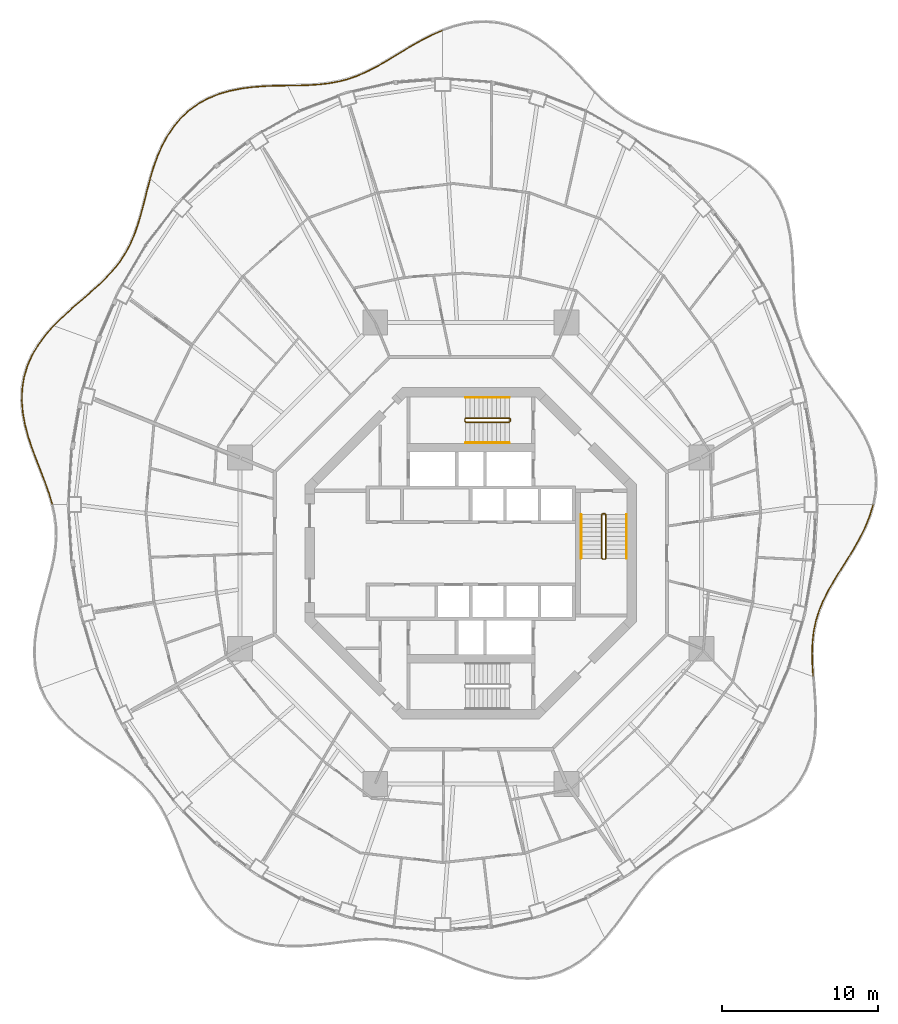
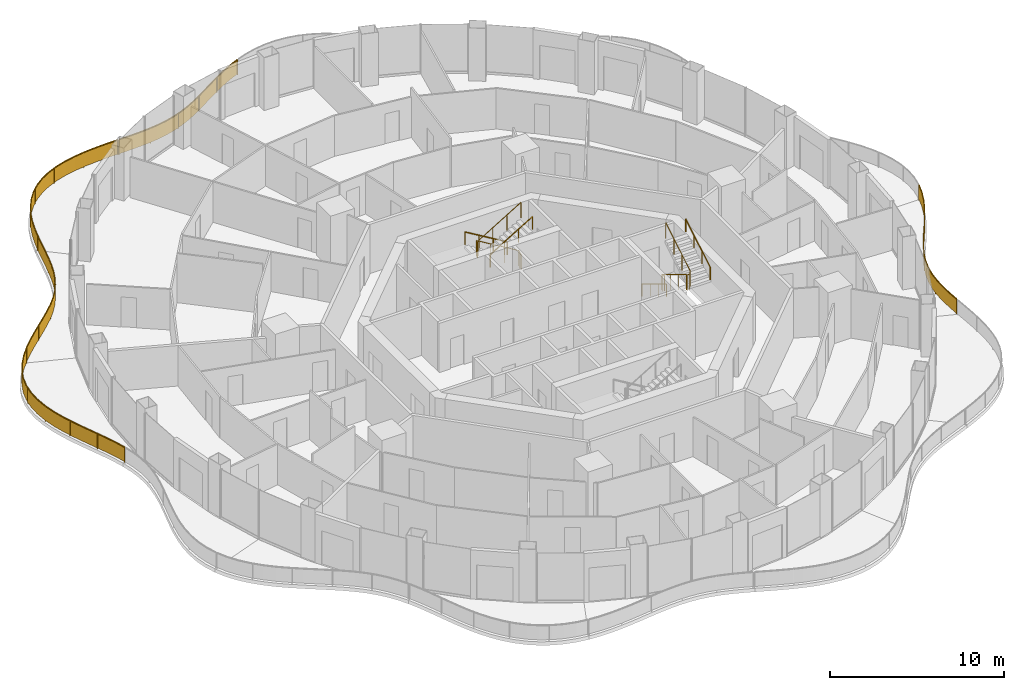
# One storey, part 17 of 18: 11 railings.
"""IFC4 building model written with IfcOpenShell, lengths in metres."""

from ifc_helpers import new_model, si_unit, direction, frame, origin, origin_2d, place, context, subcontext, project, spatial, polyline, rectangle, circle, outline, extrude, material, type_object, element, save


model = new_model("IFC4")

# Units and contexts
model_context = context("Model", 3, precision=1e-05, world=origin(), true_north=direction((0.0, 1.0)))
body_context = subcontext(model_context, "Body", "Model", "MODEL_VIEW")
ifc_project = project(units=[si_unit("LENGTHUNIT", "METRE"), si_unit("AREAUNIT", "SQUARE_METRE"), si_unit("VOLUMEUNIT", "CUBIC_METRE"), si_unit("PLANEANGLEUNIT", "RADIAN"), si_unit("MASSUNIT", "GRAM", prefix="KILO")], contexts=[model_context])

# Site, building, storey
site_placement = place(None, origin())
site = spatial("IfcSite", under=ifc_project, at=site_placement, CompositionType="ELEMENT")
building_placement = place(site_placement, origin())
building = spatial("IfcBuilding", under=site, at=building_placement, Name="Nagisa Residences", CompositionType="ELEMENT")
storey_placement = place(building_placement, frame((0.0, 0.0, 215.89990234375)))
storey = spatial("IfcBuildingStorey", under=building, at=storey_placement, Name="L54", CompositionType="ELEMENT", Elevation=215.89990234375)

# Railings
ifc_material_1 = material(Name="Stainless steel 316", Category="steel")
railing_type_1 = type_object("IfcRailingType", Name="BALCONY GUARD 1100", PredefinedType="BALUSTRADE", material=ifc_material_1)
railing_1_placement = place(storey_placement, frame((-1.835205078125, 33.494384765625, 0.0)))
element("IfcRailing", 1, at=railing_1_placement, inside=storey, type_object=railing_type_1, Name="guard:L54:bal04-0", PredefinedType="BALUSTRADE", context=body_context, shape_type="SweptSolid", body=[
    extrude(outline(polyline([(-0.6201171875, -0.298095703125), (0.010009765625, -0.02294921875), (-0.010009765625, 0.02294921875), (-0.6416015625, -0.252685546875), (-1.2998046875, -0.584228515625), (-1.93896484375, -0.94189453125), (-2.559326171875, -1.310546875), (-3.162841796875, -1.677001953125), (-3.735107421875, -2.025390625), (-4.315185546875, -2.35009765625), (-4.89111328125, -2.6396484375), (-5.46875, -2.88720703125), (-6.05322265625, -3.08984375), (-6.63330078125, -3.241455078125), (-7.2470703125, -3.3544921875), (-7.881103515625, -3.428955078125), (-8.536865234375, -3.472412109375), (-9.214599609375, -3.494384765625), (-9.866455078125, -3.50244140625), (-9.865966796875, -3.55224609375), (-9.213623046875, -3.544189453125), (-8.534423828125, -3.522216796875), (-7.876708984375, -3.478759765625), (-7.23974609375, -3.40380859375), (-6.62255859375, -3.290283203125), (-6.03857421875, -3.1376953125), (-5.45068359375, -2.93408203125), (-4.8701171875, -2.68505859375), (-4.291748046875, -2.39453125), (-3.709716796875, -2.06884765625), (-3.136962890625, -1.719970703125), (-2.533447265625, -1.353515625), (-1.9140625, -0.9853515625), (-1.2763671875, -0.628662109375), (-0.6201171875, -0.298095703125)])), frame((0.0, 0.0, 1.050048828125)), (0.0, 0.0, 1.0), 0.050048828125),
    extrude(outline(polyline([(-0.6279296875, -0.28173828125), (0.002685546875, -0.00634765625), (-0.002685546875, 0.00634765625), (-0.6337890625, -0.26904296875), (-1.291259765625, -0.600341796875), (-1.929931640625, -0.95751953125), (-2.550048828125, -1.325927734375), (-3.153564453125, -1.692626953125), (-3.725830078125, -2.041015625), (-4.306640625, -2.3662109375), (-4.883544921875, -2.656005859375), (-5.462158203125, -2.904052734375), (-6.0478515625, -3.107177734375), (-6.62939453125, -3.259033203125), (-7.244384765625, -3.372314453125), (-7.879638671875, -3.44677734375), (-8.535888671875, -3.490234375), (-9.21435546875, -3.51220703125), (-9.8662109375, -3.520263671875), (-9.8662109375, -3.534423828125), (-9.2138671875, -3.5263671875), (-8.535400390625, -3.50439453125), (-7.878173828125, -3.4609375), (-7.242431640625, -3.385986328125), (-6.62646484375, -3.272705078125), (-6.0439453125, -3.120361328125), (-5.457275390625, -2.917236328125), (-4.877685546875, -2.668701171875), (-4.30029296875, -2.37841796875), (-3.718994140625, -2.05322265625), (-3.146240234375, -1.704345703125), (-2.542724609375, -1.338134765625), (-1.923095703125, -0.9697265625), (-1.284912109375, -0.612548828125), (-0.6279296875, -0.28173828125)])), frame((0.0, 0.0, 0.06005859375)), (0.0, 0.0, 1.0), 0.989990234375),
    extrude(rectangle(XDim=0.0400390625, YDim=0.0400390625, at=origin_2d()), origin(), (0.0, 0.0, 1.0), 1.050048828125),
    extrude(rectangle(XDim=0.0400390625, YDim=0.0400390625, at=origin_2d()), frame((-1.90771484375, -0.953125, 0.0)), (0.0, 0.0, 1.0), 1.050048828125),
    extrude(rectangle(XDim=0.0400390625, YDim=0.0400390625, at=origin_2d()), frame((-3.73583984375, -2.0546875, 0.0)), (0.0, 0.0, 1.0), 1.050048828125),
    extrude(rectangle(XDim=0.0400390625, YDim=0.0400390625, at=origin_2d()), frame((-5.65625, -2.978759765625, 0.0)), (0.0, 0.0, 1.0), 1.050048828125),
    extrude(rectangle(XDim=0.0400390625, YDim=0.0400390625, at=origin_2d()), frame((-7.734619140625, -3.43701171875, 0.0)), (0.0, 0.0, 1.0), 1.050048828125),
    extrude(rectangle(XDim=0.0400390625, YDim=0.0400390625, at=origin_2d()), frame((-9.8662109375, -3.52734375, 0.0)), (0.0, 0.0, 1.0), 1.050048828125),
])
railing_2_placement = place(storey_placement, frame((-11.777099609375, 29.9677734375, 0.0)))
element("IfcRailing", 2, at=railing_2_placement, inside=storey, type_object=railing_type_1, Name="guard:L54:bal05-0", PredefinedType="BALUSTRADE", context=body_context, shape_type="SweptSolid", body=[
    extrude(outline(polyline([(-0.694580078125, -0.03466796875), (0.000244140625, -0.02490234375), (-0.000244140625, 0.02490234375), (-0.696044921875, 0.01513671875), (-1.44873046875, -0.013427734375), (-2.205322265625, -0.07080078125), (-2.956787109375, -0.169677734375), (-3.691650390625, -0.3193359375), (-4.3916015625, -0.5234375), (-5.069091796875, -0.80224609375), (-5.703369140625, -1.151611328125), (-6.286865234375, -1.571044921875), (-6.814208984375, -2.058837890625), (-7.270263671875, -2.59814453125), (-7.6787109375, -3.202880859375), (-8.02978515625, -3.85302734375), (-8.328125, -4.537353515625), (-8.581298828125, -5.2451171875), (-8.78271484375, -5.92138671875), (-8.73486328125, -5.935546875), (-8.533935546875, -5.2607421875), (-8.28173828125, -4.555908203125), (-7.98486328125, -3.875), (-7.6357421875, -3.228759765625), (-7.230224609375, -2.62841796875), (-6.778076171875, -2.093505859375), (-6.255126953125, -1.610107421875), (-5.676513671875, -1.194091796875), (-5.047607421875, -0.84765625), (-4.375, -0.57080078125), (-3.679443359375, -0.3681640625), (-2.948486328125, -0.218994140625), (-2.199951171875, -0.12060546875), (-1.44580078125, -0.063232421875), (-0.694580078125, -0.03466796875)])), frame((0.0, 0.0, 1.050048828125)), (0.0, 0.0, 1.0), 0.050048828125),
    extrude(outline(polyline([(-0.695068359375, -0.016845703125), (0.0, -0.007080078125), (0.0, 0.007080078125), (-0.695556640625, -0.002685546875), (-1.44775390625, -0.03125), (-2.203369140625, -0.088623046875), (-2.953857421875, -0.1875), (-3.687255859375, -0.3369140625), (-4.385498046875, -0.54052734375), (-5.061279296875, -0.818603515625), (-5.693603515625, -1.1669921875), (-6.275390625, -1.585205078125), (-6.80126953125, -2.0712890625), (-7.255859375, -2.609130859375), (-7.663330078125, -3.212158203125), (-8.013671875, -3.86083984375), (-8.3115234375, -4.5439453125), (-8.564208984375, -5.250732421875), (-8.765380859375, -5.926513671875), (-8.752197265625, -5.930419921875), (-8.551025390625, -5.255126953125), (-8.29833984375, -4.54931640625), (-8.0009765625, -3.8671875), (-7.651123046875, -3.219482421875), (-7.24462890625, -2.617431640625), (-6.791015625, -2.0810546875), (-6.2666015625, -1.595947265625), (-5.686279296875, -1.1787109375), (-5.055419921875, -0.831298828125), (-4.381103515625, -0.5537109375), (-3.683837890625, -0.3505859375), (-2.951416015625, -0.201171875), (-2.201904296875, -0.102783203125), (-1.44677734375, -0.04541015625), (-0.695068359375, -0.016845703125)])), frame((0.0, 0.0, 0.06005859375)), (0.0, 0.0, 1.0), 0.989990234375),
    extrude(rectangle(XDim=0.0400390625, YDim=0.0400390625, at=origin_2d()), origin(), (0.0, 0.0, 1.0), 1.050048828125),
    extrude(rectangle(XDim=0.0400390625, YDim=0.0400390625, at=origin_2d()), frame((-2.333251953125, -0.11279296875, 0.0)), (0.0, 0.0, 1.0), 1.050048828125),
    extrude(rectangle(XDim=0.0400390625, YDim=0.0400390625, at=origin_2d()), frame((-4.60302734375, -0.637451171875, 0.0)), (0.0, 0.0, 1.0), 1.050048828125),
    extrude(rectangle(XDim=0.0400390625, YDim=0.0400390625, at=origin_2d()), frame((-6.570556640625, -1.867431640625, 0.0)), (0.0, 0.0, 1.0), 1.050048828125),
    extrude(rectangle(XDim=0.0400390625, YDim=0.0400390625, at=origin_2d()), frame((-7.942138671875, -3.7431640625, 0.0)), (0.0, 0.0, 1.0), 1.050048828125),
    extrude(rectangle(XDim=0.0400390625, YDim=0.0400390625, at=origin_2d()), frame((-8.7587890625, -5.928466796875, 0.0)), (0.0, 0.0, 1.0), 1.050048828125),
])
railing_3_placement = place(storey_placement, frame((-20.555419921875, 23.965087890625, 0.0)))
element("IfcRailing", 3, at=railing_3_placement, inside=storey, type_object=railing_type_1, Name="guard:L54:bal06-0", PredefinedType="BALUSTRADE", context=body_context, shape_type="SweptSolid", body=[
    extrude(outline(polyline([(-0.1630859375, -0.71728515625), (0.024169921875, -0.00634765625), (-0.024169921875, 0.00634765625), (-0.21142578125, -0.70458984375), (-0.399169921875, -1.4482421875), (-0.587646484375, -2.170654296875), (-0.790771484375, -2.864501953125), (-1.021240234375, -3.52490234375), (-1.28125, -4.13671875), (-1.595947265625, -4.725830078125), (-1.9619140625, -5.282470703125), (-2.380859375, -5.8115234375), (-2.850341796875, -6.3203125), (-3.35791015625, -6.80322265625), (-3.908447265625, -7.29443359375), (-4.48193359375, -7.790283203125), (-5.064453125, -8.2978515625), (-5.64013671875, -8.82470703125), (-6.160888671875, -9.34228515625), (-6.125732421875, -9.3779296875), (-5.60546875, -8.86083984375), (-5.03125, -8.3349609375), (-4.44921875, -7.827880859375), (-3.875244140625, -7.33203125), (-3.32421875, -6.83984375), (-2.814697265625, -6.35546875), (-2.3427734375, -5.84423828125), (-1.92138671875, -5.311767578125), (-1.552978515625, -4.751220703125), (-1.23583984375, -4.158203125), (-0.974365234375, -3.54296875), (-0.742919921875, -2.879638671875), (-0.539306640625, -2.183837890625), (-0.350830078125, -1.46044921875), (-0.1630859375, -0.71728515625)])), frame((0.0, 0.0, 1.050048828125)), (0.0, 0.0, 1.0), 0.050048828125),
    extrude(outline(polyline([(-0.180419921875, -0.712646484375), (0.0068359375, -0.001708984375), (-0.0068359375, 0.001708984375), (-0.194091796875, -0.709228515625), (-0.3818359375, -1.45263671875), (-0.5703125, -2.17529296875), (-0.7734375, -2.869873046875), (-1.00439453125, -3.531494140625), (-1.264892578125, -4.14453125), (-1.58056640625, -4.73486328125), (-1.947265625, -5.29296875), (-2.3671875, -5.8232421875), (-2.83740234375, -6.3330078125), (-3.345703125, -6.81640625), (-3.896484375, -7.307861328125), (-4.47021484375, -7.8037109375), (-5.052490234375, -8.311279296875), (-5.627685546875, -8.837646484375), (-6.148193359375, -9.355224609375), (-6.138427734375, -9.364990234375), (-5.617919921875, -8.847900390625), (-5.043212890625, -8.321533203125), (-4.4609375, -7.814453125), (-3.88720703125, -7.318603515625), (-3.33642578125, -6.82666015625), (-2.82763671875, -6.3427734375), (-2.3564453125, -5.83251953125), (-1.93603515625, -5.30126953125), (-1.568359375, -4.7421875), (-1.252197265625, -4.150390625), (-0.9912109375, -3.536376953125), (-0.76025390625, -2.874267578125), (-0.556640625, -2.17919921875), (-0.3681640625, -1.4560546875), (-0.180419921875, -0.712646484375)])), frame((0.0, 0.0, 0.06005859375)), (0.0, 0.0, 1.0), 0.989990234375),
    extrude(rectangle(XDim=0.0400390625, YDim=0.0400390625, at=origin_2d()), origin(), (0.0, 0.0, 1.0), 1.050048828125),
    extrude(rectangle(XDim=0.0400390625, YDim=0.0400390625, at=origin_2d()), frame((-0.579833984375, -2.232666015625, 0.0)), (0.0, 0.0, 1.0), 1.050048828125),
    extrude(rectangle(XDim=0.0400390625, YDim=0.0400390625, at=origin_2d()), frame((-1.38720703125, -4.388427734375, 0.0)), (0.0, 0.0, 1.0), 1.050048828125),
    extrude(rectangle(XDim=0.0400390625, YDim=0.0400390625, at=origin_2d()), frame((-2.74462890625, -6.24267578125, 0.0)), (0.0, 0.0, 1.0), 1.050048828125),
    extrude(rectangle(XDim=0.0400390625, YDim=0.0400390625, at=origin_2d()), frame((-4.449462890625, -7.795166015625, 0.0)), (0.0, 0.0, 1.0), 1.050048828125),
    extrude(rectangle(XDim=0.0400390625, YDim=0.0400390625, at=origin_2d()), frame((-6.143310546875, -9.360107421875, 0.0)), (0.0, 0.0, 1.0), 1.050048828125),
])
railing_4_placement = place(storey_placement, frame((-26.75244140625, 14.549560546875, 0.0)))
element("IfcRailing", 4, at=railing_4_placement, inside=storey, type_object=railing_type_1, Name="guard:L54:bal07-0", PredefinedType="BALUSTRADE", context=body_context, shape_type="SweptSolid", body=[
    extrude(outline(polyline([(-0.47802734375, -0.578857421875), (0.018798828125, -0.0166015625), (-0.018798828125, 0.0166015625), (-0.51708984375, -0.547119140625), (-0.984619140625, -1.18017578125), (-1.3779296875, -1.8466796875), (-1.685791015625, -2.54443359375), (-1.901123046875, -3.269775390625), (-2.017333984375, -4.00390625), (-2.042724609375, -4.767578125), (-1.97998046875, -5.54052734375), (-1.83984375, -6.31591796875), (-1.635986328125, -7.087890625), (-1.384033203125, -7.83740234375), (-1.10546875, -8.587890625), (-0.818115234375, -9.323974609375), (-0.541015625, -10.04443359375), (-0.292236328125, -10.750732421875), (-0.09716796875, -11.40478515625), (-0.04931640625, -11.390625), (-0.244384765625, -10.735107421875), (-0.494140625, -10.02734375), (-0.771240234375, -9.305908203125), (-1.05859375, -8.5703125), (-1.336669921875, -7.82080078125), (-1.588134765625, -7.07373046875), (-1.791015625, -6.30517578125), (-1.93017578125, -5.5341796875), (-1.992431640625, -4.7666015625), (-1.967529296875, -4.0087890625), (-1.852294921875, -3.281005859375), (-1.638916015625, -2.5615234375), (-1.33349609375, -1.86962890625), (-0.942626953125, -1.2080078125), (-0.47802734375, -0.578857421875)])), frame((0.0, 0.0, 1.050048828125)), (0.0, 0.0, 1.0), 0.050048828125),
    extrude(outline(polyline([(-0.4921875, -0.5673828125), (0.005126953125, -0.004638671875), (-0.005126953125, 0.004638671875), (-0.5029296875, -0.55859375), (-0.969482421875, -1.190185546875), (-1.362060546875, -1.85498046875), (-1.6689453125, -2.550537109375), (-1.883544921875, -3.27392578125), (-1.99951171875, -4.005615234375), (-2.024658203125, -4.767333984375), (-1.9619140625, -5.538330078125), (-1.822265625, -6.31201171875), (-1.61865234375, -7.082763671875), (-1.366943359375, -7.83154296875), (-1.088623046875, -8.58154296875), (-0.80126953125, -9.3173828125), (-0.524169921875, -10.038330078125), (-0.27490234375, -10.7451171875), (-0.079833984375, -11.399658203125), (-0.066650390625, -11.395751953125), (-0.26171875, -10.74072265625), (-0.510986328125, -10.033447265625), (-0.7880859375, -9.3125), (-1.075439453125, -8.57666015625), (-1.353759765625, -7.82666015625), (-1.60546875, -7.078857421875), (-1.80859375, -6.30908203125), (-1.9482421875, -5.536376953125), (-2.010498046875, -4.766845703125), (-1.9853515625, -4.007080078125), (-1.869873046875, -3.27685546875), (-1.65576171875, -2.555419921875), (-1.349365234375, -1.861328125), (-0.957763671875, -1.197998046875), (-0.4921875, -0.5673828125)])), frame((0.0, 0.0, 0.06005859375)), (0.0, 0.0, 1.0), 0.989990234375),
    extrude(rectangle(XDim=0.0400390625, YDim=0.0400390625, at=origin_2d()), origin(), (0.0, 0.0, 1.0), 1.050048828125),
    extrude(rectangle(XDim=0.0400390625, YDim=0.0400390625, at=origin_2d()), frame((-1.2216796875, -1.631103515625, 0.0)), (0.0, 0.0, 1.0), 1.050048828125),
    extrude(rectangle(XDim=0.0400390625, YDim=0.0400390625, at=origin_2d()), frame((-1.91845703125, -3.5390625, 0.0)), (0.0, 0.0, 1.0), 1.050048828125),
    extrude(rectangle(XDim=0.0400390625, YDim=0.0400390625, at=origin_2d()), frame((-1.948486328125, -5.5732421875, 0.0)), (0.0, 0.0, 1.0), 1.050048828125),
    extrude(rectangle(XDim=0.0400390625, YDim=0.0400390625, at=origin_2d()), frame((-1.453369140625, -7.552490234375, 0.0)), (0.0, 0.0, 1.0), 1.050048828125),
    extrude(rectangle(XDim=0.0400390625, YDim=0.0400390625, at=origin_2d()), frame((-0.736572265625, -9.4658203125, 0.0)), (0.0, 0.0, 1.0), 1.050048828125),
    extrude(rectangle(XDim=0.0400390625, YDim=0.0400390625, at=origin_2d()), frame((-0.0732421875, -11.397705078125, 0.0)), (0.0, 0.0, 1.0), 1.050048828125),
])
railing_5_placement = place(storey_placement, frame((21.936767578125, -7.873291015625, 0.0)))
element("IfcRailing", 5, at=railing_5_placement, inside=storey, type_object=railing_type_1, Name="guard:L54:bal15-0", PredefinedType="BALUSTRADE", context=body_context, shape_type="SweptSolid", body=[
    extrude(outline(polyline([(-0.071533203125, 0.717041015625), (-0.02490234375, -0.001708984375), (0.02490234375, 0.001708984375), (-0.021728515625, 0.719482421875), (-0.040283203125, 1.4580078125), (-0.01611328125, 2.172119140625), (0.0625, 2.86328125), (0.202392578125, 3.53466796875), (0.403564453125, 4.17724609375), (0.670654296875, 4.82373046875), (0.994384765625, 5.467041015625), (1.364990234375, 6.113037109375), (1.7685546875, 6.7666015625), (2.186767578125, 7.419189453125), (2.60400390625, 8.10107421875), (3.0, 8.800048828125), (3.35498046875, 9.51611328125), (3.651123046875, 10.247802734375), (3.861572265625, 10.946533203125), (3.813720703125, 10.961181640625), (3.603759765625, 10.264404296875), (3.30908203125, 9.53662109375), (2.95556640625, 8.823486328125), (2.56103515625, 8.12646484375), (2.144287109375, 7.445556640625), (1.72607421875, 6.79345703125), (1.322021484375, 6.138427734375), (0.950439453125, 5.490966796875), (0.625244140625, 4.8447265625), (0.356689453125, 4.1943359375), (0.154052734375, 3.54736328125), (0.01318359375, 2.87109375), (-0.06591796875, 2.176025390625), (-0.090576171875, 1.4580078125), (-0.071533203125, 0.717041015625)])), frame((0.0, 0.0, 1.050048828125)), (0.0, 0.0, 1.0), 0.050048828125),
    extrude(outline(polyline([(-0.0537109375, 0.718017578125), (-0.007080078125, -0.00048828125), (0.007080078125, 0.00048828125), (-0.03955078125, 0.718505859375), (-0.058349609375, 1.4580078125), (-0.033935546875, 2.173583984375), (0.044677734375, 2.865966796875), (0.18505859375, 3.539306640625), (0.38671875, 4.183349609375), (0.654296875, 4.831298828125), (0.978515625, 5.4755859375), (1.349609375, 6.1220703125), (1.753173828125, 6.7763671875), (2.17138671875, 7.4287109375), (2.588623046875, 8.110107421875), (2.98388671875, 8.80859375), (3.33837890625, 9.5234375), (3.634033203125, 10.253662109375), (3.84423828125, 10.951904296875), (3.8310546875, 10.955810546875), (3.620849609375, 10.258544921875), (3.32568359375, 9.529296875), (2.9716796875, 8.81494140625), (2.576416015625, 8.117431640625), (2.15966796875, 7.43603515625), (1.741455078125, 6.78369140625), (1.33740234375, 6.12939453125), (0.96630859375, 5.482421875), (0.6416015625, 4.837158203125), (0.37353515625, 4.188232421875), (0.17138671875, 3.542724609375), (0.031005859375, 2.868408203125), (-0.048095703125, 2.174560546875), (-0.072509765625, 1.4580078125), (-0.0537109375, 0.718017578125)])), frame((0.0, 0.0, 0.06005859375)), (0.0, 0.0, 1.0), 0.989990234375),
    extrude(rectangle(XDim=0.0400390625, YDim=0.0400390625, at=origin_2d()), origin(), (0.0, 0.0, 1.0), 1.050048828125),
    extrude(rectangle(XDim=0.0400390625, YDim=0.0400390625, at=origin_2d()), frame((-0.018798828125, 2.36962890625, 0.0)), (0.0, 0.0, 1.0), 1.050048828125),
    extrude(rectangle(XDim=0.0400390625, YDim=0.0400390625, at=origin_2d()), frame((0.57421875, 4.655517578125, 0.0)), (0.0, 0.0, 1.0), 1.050048828125),
    extrude(rectangle(XDim=0.0400390625, YDim=0.0400390625, at=origin_2d()), frame((1.717529296875, 6.73193359375, 0.0)), (0.0, 0.0, 1.0), 1.050048828125),
    extrude(rectangle(XDim=0.0400390625, YDim=0.0400390625, at=origin_2d()), frame((2.948486328125, 8.760009765625, 0.0)), (0.0, 0.0, 1.0), 1.050048828125),
    extrude(rectangle(XDim=0.0400390625, YDim=0.0400390625, at=origin_2d()), frame((3.837646484375, 10.953857421875, 0.0)), (0.0, 0.0, 1.0), 1.050048828125),
])
ifc_material_2 = material(Name="Stainless steel", Category="steel")
railing_type_2 = type_object("IfcRailingType", Name="Stair guard 1100", PredefinedType="GUARDRAIL", material=ifc_material_2)
railing_6_placement = place(storey_placement, frame((8.599609375, 2.52490234375, 0.0)))
element("IfcRailing", 6, at=railing_6_placement, inside=storey, type_object=railing_type_2, Name="L54 ST-E stair guard 1", PredefinedType="GUARDRAIL", context=body_context, shape_type="SweptSolid", body=[
    extrude(circle(Radius=0.02392578125, at=origin_2d()), frame((0.0, 0.0, 1.076171875), z_axis=(-1.0, 0.0, 0.0), x_axis=(0.0, -1.0, 0.0)), (0.0, 0.0, 1.0), 0.14990234375),
    extrude(circle(Radius=0.02392578125, at=origin_2d()), frame((-0.14990234375, 0.0, 1.076171875), z_axis=(-0.27434429532, -0.273006030465, 0.922064485248), x_axis=(0.705375805398, -0.708833529934, 0.0)), (0.0, 0.0, 1.0), 0.182373046875),
    extrude(circle(Radius=0.02392578125, at=origin_2d()), frame((-0.199951171875, -0.0498046875, 1.244140625), z_axis=(0.0, -0.857242210791, 0.514913383045), x_axis=(1.0, 0.0, 0.0)), (0.0, 0.0, 1.0), 3.266357421875),
    extrude(circle(Radius=0.02392578125, at=origin_2d()), frame((-0.199951171875, -2.849853515625, 2.92626953125), z_axis=(0.707106781187, -0.707106781187, 0.0), x_axis=(0.707106781187, 0.707106781187, 0.0)), (0.0, 0.0, 1.0), 0.07080078125),
    extrude(circle(Radius=0.02392578125, at=origin_2d()), frame((-0.14990234375, -2.89990234375, 2.92626953125), z_axis=(1.0, 0.0, 0.0), x_axis=(0.0, 1.0, 0.0)), (0.0, 0.0, 1.0), 0.14990234375),
    extrude(circle(Radius=0.02392578125, at=origin_2d()), frame((0.0, -2.89990234375, 2.92626953125), z_axis=(0.274243871929, 0.274243871929, 0.92172696468), x_axis=(-0.707106781187, 0.707106781187, 0.0)), (0.0, 0.0, 1.0), 0.1826171875),
    extrude(circle(Radius=0.02392578125, at=origin_2d()), frame((0.050048828125, -2.849853515625, 3.09423828125), z_axis=(0.0, 0.857242210791, 0.514913383045), x_axis=(-1.0, 0.0, 0.0)), (0.0, 0.0, 1.0), 3.266357421875),
    extrude(circle(Radius=0.02099609375, at=origin_2d()), origin(), (0.0, 0.0, 1.0), 1.052001953125),
    extrude(circle(Radius=0.02099609375, at=origin_2d()), frame((-0.14990234375, 0.0, 0.0)), (0.0, 0.0, 1.0), 1.052001953125),
    extrude(circle(Radius=0.02099609375, at=origin_2d()), frame((-0.199951171875, -0.0498046875, 0.168212890625)), (0.0, 0.0, 1.0), 1.052001953125),
    extrude(circle(Radius=0.02099609375, at=origin_2d()), frame((-0.199951171875, -0.983154296875, 0.728759765625)), (0.0, 0.0, 1.0), 1.052001953125),
    extrude(circle(Radius=0.02099609375, at=origin_2d()), frame((-0.199951171875, -1.91650390625, 1.28955078125)), (0.0, 0.0, 1.0), 1.052001953125),
    extrude(circle(Radius=0.02099609375, at=origin_2d()), frame((-0.199951171875, -2.849853515625, 1.85009765625)), (0.0, 0.0, 1.0), 1.052001953125),
    extrude(circle(Radius=0.02099609375, at=origin_2d()), frame((-0.14990234375, -2.89990234375, 1.85009765625)), (0.0, 0.0, 1.0), 1.052001953125),
    extrude(circle(Radius=0.02099609375, at=origin_2d()), frame((0.0, -2.89990234375, 1.85009765625)), (0.0, 0.0, 1.0), 1.052001953125),
    extrude(circle(Radius=0.02099609375, at=origin_2d()), frame((0.050048828125, -2.849853515625, 2.018310546875)), (0.0, 0.0, 1.0), 1.052001953125),
    extrude(circle(Radius=0.02099609375, at=origin_2d()), frame((0.050048828125, -1.91650390625, 2.578857421875)), (0.0, 0.0, 1.0), 1.052001953125),
    extrude(circle(Radius=0.02099609375, at=origin_2d()), frame((0.050048828125, -0.983154296875, 3.1396484375)), (0.0, 0.0, 1.0), 1.052001953125),
    extrude(circle(Radius=0.02099609375, at=origin_2d()), frame((0.050048828125, -0.0498046875, 3.7001953125)), (0.0, 0.0, 1.0), 1.052001953125),
])
railing_7_placement = place(storey_placement, frame((2.52490234375, 8.44970703125, 0.0)))
element("IfcRailing", 7, at=railing_7_placement, inside=storey, type_object=railing_type_2, Name="L54 ST-N stair guard 1", PredefinedType="GUARDRAIL", context=body_context, shape_type="SweptSolid", body=[
    extrude(circle(Radius=0.02392578125, at=origin_2d()), frame((0.0, 0.0, 1.076171875), z_axis=(0.0, 1.0, 0.0), x_axis=(-1.0, 0.0, 0.0)), (0.0, 0.0, 1.0), 0.14990234375),
    extrude(circle(Radius=0.02392578125, at=origin_2d()), frame((0.0, 0.14990234375, 1.076171875), z_axis=(-0.273006030465, 0.27434429532, 0.922064485248), x_axis=(-0.708833529934, -0.705375805398, 0.0)), (0.0, 0.0, 1.0), 0.182373046875),
    extrude(circle(Radius=0.02392578125, at=origin_2d()), frame((-0.0498046875, 0.199951171875, 1.244140625), z_axis=(-0.857242210791, 0.0, 0.514913383045), x_axis=(0.0, -1.0, 0.0)), (0.0, 0.0, 1.0), 3.266357421875),
    extrude(circle(Radius=0.02392578125, at=origin_2d()), frame((-2.849853515625, 0.199951171875, 2.92626953125), z_axis=(-0.707106781187, -0.707106781187, 0.0), x_axis=(0.707106781187, -0.707106781187, 0.0)), (0.0, 0.0, 1.0), 0.07080078125),
    extrude(circle(Radius=0.02392578125, at=origin_2d()), frame((-2.89990234375, 0.14990234375, 2.92626953125), z_axis=(0.0, -1.0, 0.0), x_axis=(1.0, 0.0, 0.0)), (0.0, 0.0, 1.0), 0.14990234375),
    extrude(circle(Radius=0.02392578125, at=origin_2d()), frame((-2.89990234375, 0.0, 2.92626953125), z_axis=(0.274243871929, -0.274243871929, 0.92172696468), x_axis=(0.707106781187, 0.707106781187, 0.0)), (0.0, 0.0, 1.0), 0.1826171875),
    extrude(circle(Radius=0.02392578125, at=origin_2d()), frame((-2.849853515625, -0.050048828125, 3.09423828125), z_axis=(0.857242210791, 0.0, 0.514913383045), x_axis=(0.0, 1.0, 0.0)), (0.0, 0.0, 1.0), 3.266357421875),
    extrude(circle(Radius=0.02099609375, at=origin_2d()), origin(), (0.0, 0.0, 1.0), 1.052001953125),
    extrude(circle(Radius=0.02099609375, at=origin_2d()), frame((0.0, 0.14990234375, 0.0)), (0.0, 0.0, 1.0), 1.052001953125),
    extrude(circle(Radius=0.02099609375, at=origin_2d()), frame((-0.0498046875, 0.199951171875, 0.168212890625)), (0.0, 0.0, 1.0), 1.052001953125),
    extrude(circle(Radius=0.02099609375, at=origin_2d()), frame((-0.983154296875, 0.199951171875, 0.728759765625)), (0.0, 0.0, 1.0), 1.052001953125),
    extrude(circle(Radius=0.02099609375, at=origin_2d()), frame((-1.91650390625, 0.199951171875, 1.28955078125)), (0.0, 0.0, 1.0), 1.052001953125),
    extrude(circle(Radius=0.02099609375, at=origin_2d()), frame((-2.849853515625, 0.199951171875, 1.85009765625)), (0.0, 0.0, 1.0), 1.052001953125),
    extrude(circle(Radius=0.02099609375, at=origin_2d()), frame((-2.89990234375, 0.14990234375, 1.85009765625)), (0.0, 0.0, 1.0), 1.052001953125),
    extrude(circle(Radius=0.02099609375, at=origin_2d()), frame((-2.89990234375, 0.0, 1.85009765625)), (0.0, 0.0, 1.0), 1.052001953125),
    extrude(circle(Radius=0.02099609375, at=origin_2d()), frame((-2.849853515625, -0.050048828125, 2.018310546875)), (0.0, 0.0, 1.0), 1.052001953125),
    extrude(circle(Radius=0.02099609375, at=origin_2d()), frame((-1.91650390625, -0.050048828125, 2.578857421875)), (0.0, 0.0, 1.0), 1.052001953125),
    extrude(circle(Radius=0.02099609375, at=origin_2d()), frame((-0.983154296875, -0.050048828125, 3.1396484375)), (0.0, 0.0, 1.0), 1.052001953125),
    extrude(circle(Radius=0.02099609375, at=origin_2d()), frame((-0.0498046875, -0.050048828125, 3.7001953125)), (0.0, 0.0, 1.0), 1.052001953125),
])
ifc_material_3 = material(Name="Stainless steel", Category="steel")
railing_type_3 = type_object("IfcRailingType", Name="Stair handrail 900", PredefinedType="HANDRAIL", material=ifc_material_3)
railing_8_placement = place(storey_placement, frame((7.07470703125, 2.47509765625, 0.168212890625)))
element("IfcRailing", 8, at=railing_8_placement, inside=storey, type_object=railing_type_3, Name="L54 ST-E stair handrail 1", PredefinedType="HANDRAIL", context=body_context, shape_type="SweptSolid", body=[
    extrude(circle(Radius=0.02392578125, at=origin_2d()), frame((0.0, 0.0, 0.8759765625), z_axis=(0.0, -0.857242210791, 0.514913383045), x_axis=(1.0, 0.0, 0.0)), (0.0, 0.0, 1.0), 3.266357421875),
    extrude(circle(Radius=0.02099609375, at=origin_2d()), origin(), (0.0, 0.0, 1.0), 0.851806640625),
    extrude(circle(Radius=0.02099609375, at=origin_2d()), frame((0.0, -0.933349609375, 0.560546875)), (0.0, 0.0, 1.0), 0.851806640625),
    extrude(circle(Radius=0.02099609375, at=origin_2d()), frame((0.0, -1.86669921875, 1.121337890625)), (0.0, 0.0, 1.0), 0.851806640625),
    extrude(circle(Radius=0.02099609375, at=origin_2d()), frame((0.0, -2.800048828125, 1.681884765625)), (0.0, 0.0, 1.0), 0.851806640625),
])
railing_9_placement = place(storey_placement, frame((9.974609375, -0.324951171875, 2.018310546875)))
element("IfcRailing", 9, at=railing_9_placement, inside=storey, type_object=railing_type_3, Name="L54 ST-E stair handrail 2", PredefinedType="HANDRAIL", context=body_context, shape_type="SweptSolid", body=[
    extrude(circle(Radius=0.02392578125, at=origin_2d()), frame((0.0, 0.0, 0.8759765625), z_axis=(0.0, 0.857242210791, 0.514913383045), x_axis=(-1.0, 0.0, 0.0)), (0.0, 0.0, 1.0), 3.266357421875),
    extrude(circle(Radius=0.02099609375, at=origin_2d()), origin(), (0.0, 0.0, 1.0), 0.851806640625),
    extrude(circle(Radius=0.02099609375, at=origin_2d()), frame((0.0, 0.933349609375, 0.560546875)), (0.0, 0.0, 1.0), 0.851806640625),
    extrude(circle(Radius=0.02099609375, at=origin_2d()), frame((0.0, 1.86669921875, 1.121337890625)), (0.0, 0.0, 1.0), 0.851806640625),
    extrude(circle(Radius=0.02099609375, at=origin_2d()), frame((0.0, 2.800048828125, 1.681884765625)), (0.0, 0.0, 1.0), 0.851806640625),
])
railing_10_placement = place(storey_placement, frame((2.47509765625, 9.974609375, 0.168212890625)))
element("IfcRailing", 10, at=railing_10_placement, inside=storey, type_object=railing_type_3, Name="L54 ST-N stair handrail 1", PredefinedType="HANDRAIL", context=body_context, shape_type="SweptSolid", body=[
    extrude(circle(Radius=0.02392578125, at=origin_2d()), frame((0.0, 0.0, 0.8759765625), z_axis=(-0.857242210791, 0.0, 0.514913383045), x_axis=(0.0, -1.0, 0.0)), (0.0, 0.0, 1.0), 3.266357421875),
    extrude(circle(Radius=0.02099609375, at=origin_2d()), origin(), (0.0, 0.0, 1.0), 0.851806640625),
    extrude(circle(Radius=0.02099609375, at=origin_2d()), frame((-0.933349609375, 0.0, 0.560546875)), (0.0, 0.0, 1.0), 0.851806640625),
    extrude(circle(Radius=0.02099609375, at=origin_2d()), frame((-1.86669921875, 0.0, 1.121337890625)), (0.0, 0.0, 1.0), 0.851806640625),
    extrude(circle(Radius=0.02099609375, at=origin_2d()), frame((-2.800048828125, 0.0, 1.681884765625)), (0.0, 0.0, 1.0), 0.851806640625),
])
railing_11_placement = place(storey_placement, frame((-0.324951171875, 7.07470703125, 2.018310546875)))
element("IfcRailing", 11, at=railing_11_placement, inside=storey, type_object=railing_type_3, Name="L54 ST-N stair handrail 2", PredefinedType="HANDRAIL", context=body_context, shape_type="SweptSolid", body=[
    extrude(circle(Radius=0.02392578125, at=origin_2d()), frame((0.0, 0.0, 0.8759765625), z_axis=(0.857242210791, 0.0, 0.514913383045), x_axis=(0.0, 1.0, 0.0)), (0.0, 0.0, 1.0), 3.266357421875),
    extrude(circle(Radius=0.02099609375, at=origin_2d()), origin(), (0.0, 0.0, 1.0), 0.851806640625),
    extrude(circle(Radius=0.02099609375, at=origin_2d()), frame((0.933349609375, 0.0, 0.560546875)), (0.0, 0.0, 1.0), 0.851806640625),
    extrude(circle(Radius=0.02099609375, at=origin_2d()), frame((1.86669921875, 0.0, 1.121337890625)), (0.0, 0.0, 1.0), 0.851806640625),
    extrude(circle(Radius=0.02099609375, at=origin_2d()), frame((2.800048828125, 0.0, 1.681884765625)), (0.0, 0.0, 1.0), 0.851806640625),
])

save(model, "model.ifc")
